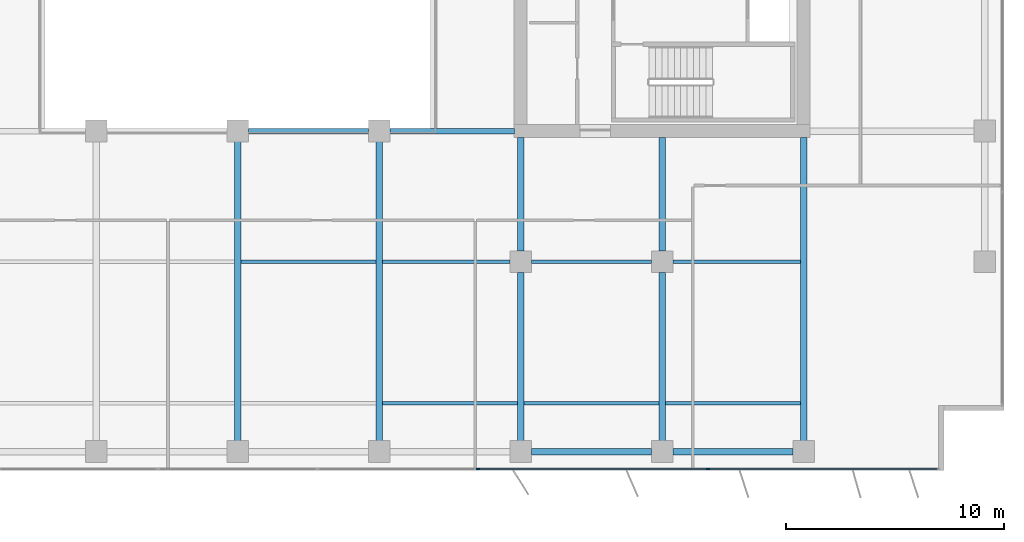
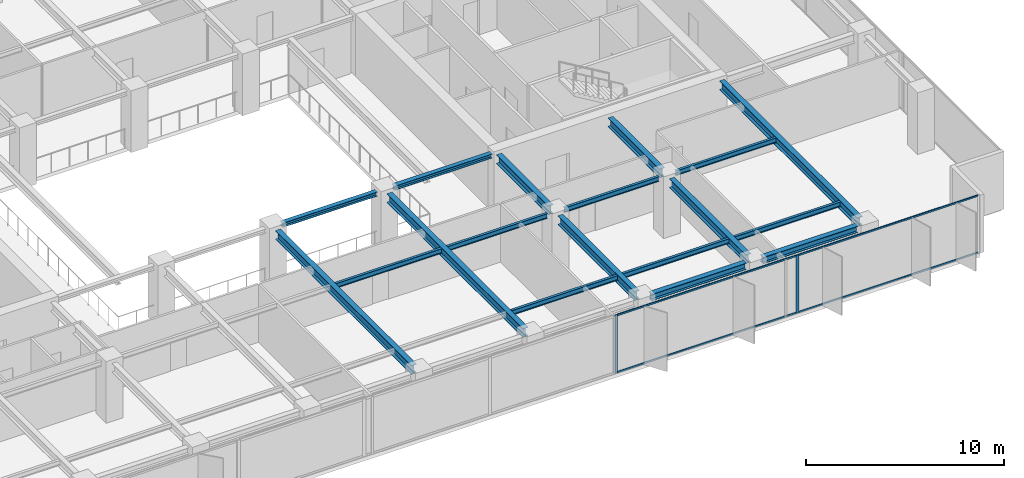
# One storey, part 6 of 22: 18 beams, 6 members, 1 element without a shape of its own.
"""IFC4 building model written with IfcOpenShell, lengths in metres."""

from ifc_helpers import new_model, si_unit, direction, frame, origin, origin_2d, place, context, subcontext, project, spatial, rectangle, i_section, extrude, material, layer, layer_set, material_profile, profile_set, type_object, element, aggregate, save


model = new_model("IFC4")

# Units and contexts
model_context = context("Model", 3, precision=1e-05, world=origin(), true_north=direction((0.0, 1.0)))
body_context = subcontext(model_context, "Body", "Model", "MODEL_VIEW")
ifc_project = project(units=[si_unit("LENGTHUNIT", "METRE"), si_unit("AREAUNIT", "SQUARE_METRE"), si_unit("VOLUMEUNIT", "CUBIC_METRE"), si_unit("PLANEANGLEUNIT", "RADIAN"), si_unit("MASSUNIT", "GRAM", prefix="KILO")], contexts=[model_context])

# Site, building, storey
site_placement = place(None, origin())
site = spatial("IfcSite", under=ifc_project, at=site_placement, CompositionType="ELEMENT")
building_placement = place(site_placement, origin())
building = spatial("IfcBuilding", under=site, at=building_placement, Name="Putna Gate Headquarters", CompositionType="ELEMENT")
storey_placement = place(building_placement, frame((0.0, 0.0, 151.800048828125)))
storey = spatial("IfcBuildingStorey", under=building, at=storey_placement, Name="L37", CompositionType="ELEMENT", Elevation=151.800048828125)

# Beams
ifc_material_1 = material(Name="Steel S355J2", Category="steel")
ifc_material_profile_1 = material_profile(ifc_material_1, i_section(OverallWidth=0.260009765625, OverallDepth=0.260009765625, WebThickness=0.010009765625, FlangeThickness=0.017578125, at=origin_2d()), Name="Steel S355J2")
ifc_profile_set_1 = profile_set([ifc_material_profile_1], Name="Steel S355J2")
beam_type_1 = type_object("IfcBeamType", Name="BM-ATRIUM-HEB260", PredefinedType="BEAM", material=ifc_profile_set_1)
beam_1_placement = place(storey_placement, frame((39.488037109375, 19.0, 3.44189453125), z_axis=(1.0, 0.0, 0.0), x_axis=(0.0, 1.0, 0.0)))
element("IfcBeam", 1, at=beam_1_placement, inside=storey, type_object=beam_type_1, Name="L37 Atrium Edge Beam AS3", PredefinedType="BEAM", context=body_context, shape_type="SweptSolid", body=[
    extrude(i_section(OverallWidth=0.260009765625, OverallDepth=0.260009765625, WebThickness=0.010009765625, FlangeThickness=0.017578125, at=origin_2d()), origin(), (0.0, 0.0, 1.0), 5.52392578125),
])
beam_2_placement = place(storey_placement, frame((45.988037109375, 19.0, 3.44189453125), z_axis=(1.0, 0.0, 0.0), x_axis=(0.0, 1.0, 0.0)))
element("IfcBeam", 2, at=beam_2_placement, inside=storey, type_object=beam_type_1, Name="L37 Atrium Edge Beam AS4", PredefinedType="BEAM", context=body_context, shape_type="SweptSolid", body=[
    extrude(i_section(OverallWidth=0.260009765625, OverallDepth=0.260009765625, WebThickness=0.010009765625, FlangeThickness=0.017578125, at=origin_2d()), origin(), (0.0, 0.0, 1.0), 5.72705078125),
])
ifc_material_profile_2 = material_profile(ifc_material_1, i_section(OverallWidth=0.300048828125, OverallDepth=0.550048828125, WebThickness=0.014892578125, FlangeThickness=0.029052734375, at=origin_2d()), Name="Steel S355J2")
ifc_profile_set_2 = profile_set([ifc_material_profile_2], Name="Steel S355J2")
beam_type_2 = type_object("IfcBeamType", Name="BM-GIRD-Z3-HEB550", PredefinedType="USERDEFINED", material=ifc_profile_set_2)
for number, where, z_axis, x_axis, name in (
    (3, (39.0, 4.76806640625, 3.296875), (0.0, 1.0, 0.0), (-1.0, 0.0, 0.0), "L37 South Primary Girder X39"),
    (4, (45.5, 4.76806640625, 3.296875), (0.0, 1.0, 0.0), (-1.0, 0.0, 0.0), "L37 South Primary Girder X45"),
):
    element("IfcBeam", number, at=place(storey_placement, frame(where, z_axis=z_axis, x_axis=x_axis)), inside=storey, type_object=beam_type_2, Name=name, ObjectType="GIRDER", PredefinedType="USERDEFINED", context=body_context, shape_type="SweptSolid", body=[
        extrude(i_section(OverallWidth=0.300048828125, OverallDepth=0.550048828125, WebThickness=0.014892578125, FlangeThickness=0.029052734375, at=origin_2d()), origin(), (0.0, 0.0, 1.0), 13.743896484375),
    ])
beam_3_placement = place(storey_placement, frame((52.0, 4.76806640625, 3.296875), z_axis=(0.0, 1.0, 0.0), x_axis=(-1.0, 0.0, 0.0)))
element("IfcBeam", 5, at=beam_3_placement, inside=storey, type_object=beam_type_2, Name="L37 South Primary Girder X52-1", ObjectType="GIRDER", PredefinedType="USERDEFINED", context=body_context, shape_type="SweptSolid", body=[
    extrude(i_section(OverallWidth=0.300048828125, OverallDepth=0.550048828125, WebThickness=0.014892578125, FlangeThickness=0.029052734375, at=origin_2d()), origin(), (0.0, 0.0, 1.0), 7.743896484375),
])
beam_4_placement = place(storey_placement, frame((52.0, 13.488037109375, 3.296875), z_axis=(0.0, 1.0, 0.0), x_axis=(-1.0, 0.0, 0.0)))
element("IfcBeam", 6, at=beam_4_placement, inside=storey, type_object=beam_type_2, Name="L37 South Primary Girder X52-2", ObjectType="GIRDER", PredefinedType="USERDEFINED", context=body_context, shape_type="SweptSolid", body=[
    extrude(i_section(OverallWidth=0.300048828125, OverallDepth=0.550048828125, WebThickness=0.014892578125, FlangeThickness=0.029052734375, at=origin_2d()), origin(), (0.0, 0.0, 1.0), 5.22705078125),
])
beam_5_placement = place(storey_placement, frame((58.5, 4.76806640625, 3.296875), z_axis=(0.0, 1.0, 0.0), x_axis=(-1.0, 0.0, 0.0)))
element("IfcBeam", 7, at=beam_5_placement, inside=storey, type_object=beam_type_2, Name="L37 South Primary Girder X58-1", ObjectType="GIRDER", PredefinedType="USERDEFINED", context=body_context, shape_type="SweptSolid", body=[
    extrude(i_section(OverallWidth=0.300048828125, OverallDepth=0.550048828125, WebThickness=0.014892578125, FlangeThickness=0.029052734375, at=origin_2d()), origin(), (0.0, 0.0, 1.0), 7.743896484375),
])
beam_6_placement = place(storey_placement, frame((58.5, 13.488037109375, 3.296875), z_axis=(0.0, 1.0, 0.0), x_axis=(-1.0, 0.0, 0.0)))
element("IfcBeam", 8, at=beam_6_placement, inside=storey, type_object=beam_type_2, Name="L37 South Primary Girder X58-2", ObjectType="GIRDER", PredefinedType="USERDEFINED", context=body_context, shape_type="SweptSolid", body=[
    extrude(i_section(OverallWidth=0.300048828125, OverallDepth=0.550048828125, WebThickness=0.014892578125, FlangeThickness=0.029052734375, at=origin_2d()), origin(), (0.0, 0.0, 1.0), 5.22705078125),
])
beam_7_placement = place(storey_placement, frame((65.0, 4.76806640625, 3.296875), z_axis=(0.0, 1.0, 0.0), x_axis=(-1.0, 0.0, 0.0)))
element("IfcBeam", 9, at=beam_7_placement, inside=storey, type_object=beam_type_2, Name="L37 South Primary Girder X65", ObjectType="GIRDER", PredefinedType="USERDEFINED", context=body_context, shape_type="SweptSolid", body=[
    extrude(i_section(OverallWidth=0.300048828125, OverallDepth=0.550048828125, WebThickness=0.014892578125, FlangeThickness=0.029052734375, at=origin_2d()), origin(), (0.0, 0.0, 1.0), 13.947021484375),
])
ifc_material_profile_3 = material_profile(ifc_material_1, i_section(OverallWidth=0.14990234375, OverallDepth=0.300048828125, WebThickness=0.007080078125, FlangeThickness=0.0107421875, at=origin_2d()), Name="Steel S355J2")
ifc_profile_set_3 = profile_set([ifc_material_profile_3], Name="Steel S355J2")
beam_type_3 = type_object("IfcBeamType", Name="BM-SEC-Z3-IPE300", PredefinedType="JOIST", material=ifc_profile_set_3)
for number, where, z_axis, x_axis, name in (
    (10, (39.154052734375, 13.0, 3.421875), (1.0, 0.0, 0.0), (0.0, 1.0, 0.0), "L37 South Secondary Beam 5"),
    (11, (45.654052734375, 6.5, 3.421875), (1.0, 0.0, 0.0), (0.0, 1.0, 0.0), "L37 South Secondary Beam 6"),
):
    element("IfcBeam", number, at=place(storey_placement, frame(where, z_axis=z_axis, x_axis=x_axis)), inside=storey, type_object=beam_type_3, Name=name, PredefinedType="JOIST", context=body_context, shape_type="SweptSolid", body=[
        extrude(i_section(OverallWidth=0.14990234375, OverallDepth=0.300048828125, WebThickness=0.007080078125, FlangeThickness=0.0107421875, at=origin_2d()), origin(), (0.0, 0.0, 1.0), 6.19189453125),
    ])
beam_8_placement = place(storey_placement, frame((45.654052734375, 13.0, 3.421875), z_axis=(1.0, 0.0, 0.0), x_axis=(0.0, 1.0, 0.0)))
element("IfcBeam", 12, at=beam_8_placement, inside=storey, type_object=beam_type_3, Name="L37 South Secondary Beam 6", PredefinedType="JOIST", context=body_context, shape_type="SweptSolid", body=[
    extrude(i_section(OverallWidth=0.14990234375, OverallDepth=0.300048828125, WebThickness=0.007080078125, FlangeThickness=0.0107421875, at=origin_2d()), origin(), (0.0, 0.0, 1.0), 5.85791015625),
])
beam_9_placement = place(storey_placement, frame((52.154052734375, 6.5, 3.421875), z_axis=(1.0, 0.0, 0.0), x_axis=(0.0, 1.0, 0.0)))
element("IfcBeam", 13, at=beam_9_placement, inside=storey, type_object=beam_type_3, Name="L37 South Secondary Beam 7", PredefinedType="JOIST", context=body_context, shape_type="SweptSolid", body=[
    extrude(i_section(OverallWidth=0.14990234375, OverallDepth=0.300048828125, WebThickness=0.007080078125, FlangeThickness=0.0107421875, at=origin_2d()), origin(), (0.0, 0.0, 1.0), 6.19189453125),
])
beam_10_placement = place(storey_placement, frame((52.488037109375, 13.0, 3.421875), z_axis=(1.0, 0.0, 0.0), x_axis=(0.0, 1.0, 0.0)))
element("IfcBeam", 14, at=beam_10_placement, inside=storey, type_object=beam_type_3, Name="L37 South Secondary Beam 7", PredefinedType="JOIST", context=body_context, shape_type="SweptSolid", body=[
    extrude(i_section(OverallWidth=0.14990234375, OverallDepth=0.300048828125, WebThickness=0.007080078125, FlangeThickness=0.0107421875, at=origin_2d()), origin(), (0.0, 0.0, 1.0), 5.52392578125),
])
beam_11_placement = place(storey_placement, frame((58.654052734375, 6.5, 3.421875), z_axis=(1.0, 0.0, 0.0), x_axis=(0.0, 1.0, 0.0)))
element("IfcBeam", 15, at=beam_11_placement, inside=storey, type_object=beam_type_3, Name="L37 South Secondary Beam 8", PredefinedType="JOIST", context=body_context, shape_type="SweptSolid", body=[
    extrude(i_section(OverallWidth=0.14990234375, OverallDepth=0.300048828125, WebThickness=0.007080078125, FlangeThickness=0.0107421875, at=origin_2d()), origin(), (0.0, 0.0, 1.0), 6.19189453125),
])
beam_12_placement = place(storey_placement, frame((58.988037109375, 13.0, 3.421875), z_axis=(1.0, 0.0, 0.0), x_axis=(0.0, 1.0, 0.0)))
element("IfcBeam", 16, at=beam_12_placement, inside=storey, type_object=beam_type_3, Name="L37 South Secondary Beam 8", PredefinedType="JOIST", context=body_context, shape_type="SweptSolid", body=[
    extrude(i_section(OverallWidth=0.14990234375, OverallDepth=0.300048828125, WebThickness=0.007080078125, FlangeThickness=0.0107421875, at=origin_2d()), origin(), (0.0, 0.0, 1.0), 5.85791015625),
])
ifc_material_profile_4 = material_profile(ifc_material_1, i_section(OverallWidth=0.300048828125, OverallDepth=0.39990234375, WebThickness=0.013427734375, FlangeThickness=0.02392578125, at=origin_2d()), Name="Steel S355J2")
ifc_profile_set_4 = profile_set([ifc_material_profile_4], Name="Steel S355J2")
beam_type_4 = type_object("IfcBeamType", Name="BM-SPAN-Z3-HEB400", PredefinedType="SPANDREL", material=ifc_profile_set_4)
for number, where, z_axis, x_axis, name in (
    (17, (52.488037109375, 4.280029296875, 3.3720703125), (1.0, 0.0, 0.0), (0.0, 1.0, 0.0), "L37 S Perimeter Spandrel 7"),
    (18, (58.988037109375, 4.280029296875, 3.3720703125), (1.0, 0.0, 0.0), (0.0, 1.0, 0.0), "L37 S Perimeter Spandrel 8"),
):
    element("IfcBeam", number, at=place(storey_placement, frame(where, z_axis=z_axis, x_axis=x_axis)), inside=storey, type_object=beam_type_4, Name=name, PredefinedType="SPANDREL", context=body_context, shape_type="SweptSolid", body=[
        extrude(i_section(OverallWidth=0.300048828125, OverallDepth=0.39990234375, WebThickness=0.013427734375, FlangeThickness=0.02392578125, at=origin_2d()), origin(), (0.0, 0.0, 1.0), 5.52392578125),
    ])

# Curtain wall, members
ifc_material_2 = material(Name="Anodised bronze aluminium curtain wall", Category="aluminium")
ifc_layer = layer(ifc_material_2, 0.159912109375)
ifc_layer_set = layer_set([ifc_layer], Name="Anodised bronze aluminium curtain wall")
curtain_wall_type = type_object("IfcCurtainWallType", Name="CW-SYS-Z3", PredefinedType="USERDEFINED", material=ifc_layer_set)
curtain_wall_placement = place(storey_placement, origin())
curtain_wall = element("IfcCurtainWall", 19, at=curtain_wall_placement, inside=storey, type_object=curtain_wall_type, Name="L37 South East Curtain Wall", ObjectType="STICK CURTAIN WALL", PredefinedType="USERDEFINED")
ifc_material_3 = material(Name="Anodised bronze aluminium EN AW-6060", Category="aluminium")
ifc_material_profile_5 = material_profile(ifc_material_3, rectangle(XDim=0.06494140625, YDim=0.159912109375, at=origin_2d()), Name="Anodised bronze aluminium EN AW-6060")
ifc_profile_set_5 = profile_set([ifc_material_profile_5], Name="Anodised bronze aluminium EN AW-6060")
member_type_1 = type_object("IfcMemberType", Name="MULL-CWM-3", PredefinedType="MULLION", material=ifc_profile_set_5)
member_1_placement = place(storey_placement, frame((50.032470703125, 3.47998046875, 0.0), z_axis=(0.0, 0.0, 1.0), x_axis=(0.0, 1.0, 0.0)))
member_1 = element("IfcMember", 20, at=member_1_placement, type_object=member_type_1, Name="CWS-3 mullion 1", PredefinedType="MULLION", context=body_context, shape_type="SweptSolid", body=[
    extrude(rectangle(XDim=0.06494140625, YDim=0.159912109375, at=origin_2d()), origin(), (0.0, 0.0, 1.0), 3.572021484375),
])
member_2_placement = place(storey_placement, frame((60.60009765625, 3.47998046875, 0.0), z_axis=(0.0, 0.0, 1.0), x_axis=(0.0, 1.0, 0.0)))
member_2 = element("IfcMember", 21, at=member_2_placement, type_object=member_type_1, Name="CWS-3 mullion 2", PredefinedType="MULLION", context=body_context, shape_type="SweptSolid", body=[
    extrude(rectangle(XDim=0.06494140625, YDim=0.159912109375, at=origin_2d()), origin(), (0.0, 0.0, 1.0), 3.572021484375),
])
ifc_material_profile_6 = material_profile(ifc_material_3, rectangle(XDim=0.06005859375, YDim=0.10009765625, at=origin_2d()), Name="Anodised bronze aluminium EN AW-6060")
ifc_profile_set_6 = profile_set([ifc_material_profile_6], Name="Anodised bronze aluminium EN AW-6060")
member_type_2 = type_object("IfcMemberType", Name="TRAN-CWT-3", PredefinedType="USERDEFINED", material=ifc_profile_set_6)
member_3_placement = place(storey_placement, frame((50.06494140625, 3.47998046875, 0.030029296875), z_axis=(1.0, 0.0, 0.0), x_axis=(0.0, 1.0, 0.0)))
member_3 = element("IfcMember", 22, at=member_3_placement, type_object=member_type_2, Name="CWS-3 transom 1.1", ObjectType="TRANSOM", PredefinedType="USERDEFINED", context=body_context, shape_type="SweptSolid", body=[
    extrude(rectangle(XDim=0.06005859375, YDim=0.10009765625, at=origin_2d()), origin(), (0.0, 0.0, 1.0), 10.50244140625),
])
member_4_placement = place(storey_placement, frame((50.06494140625, 3.47998046875, 3.5419921875), z_axis=(1.0, 0.0, 0.0), x_axis=(0.0, 1.0, 0.0)))
member_4 = element("IfcMember", 23, at=member_4_placement, type_object=member_type_2, Name="CWS-3 transom 1.2", ObjectType="TRANSOM", PredefinedType="USERDEFINED", context=body_context, shape_type="SweptSolid", body=[
    extrude(rectangle(XDim=0.06005859375, YDim=0.10009765625, at=origin_2d()), origin(), (0.0, 0.0, 1.0), 10.50244140625),
])
member_5_placement = place(storey_placement, frame((60.632568359375, 3.47998046875, 0.030029296875), z_axis=(1.0, 0.0, 0.0), x_axis=(0.0, 1.0, 0.0)))
member_5 = element("IfcMember", 24, at=member_5_placement, type_object=member_type_2, Name="CWS-3 transom 2.1", ObjectType="TRANSOM", PredefinedType="USERDEFINED", context=body_context, shape_type="SweptSolid", body=[
    extrude(rectangle(XDim=0.06005859375, YDim=0.10009765625, at=origin_2d()), origin(), (0.0, 0.0, 1.0), 10.50244140625),
])
member_6_placement = place(storey_placement, frame((60.632568359375, 3.47998046875, 3.5419921875), z_axis=(1.0, 0.0, 0.0), x_axis=(0.0, 1.0, 0.0)))
member_6 = element("IfcMember", 25, at=member_6_placement, type_object=member_type_2, Name="CWS-3 transom 2.2", ObjectType="TRANSOM", PredefinedType="USERDEFINED", context=body_context, shape_type="SweptSolid", body=[
    extrude(rectangle(XDim=0.06005859375, YDim=0.10009765625, at=origin_2d()), origin(), (0.0, 0.0, 1.0), 10.50244140625),
])
aggregate(curtain_wall, [member_1, member_2, member_3, member_4, member_5, member_6])

save(model, "model.ifc")
